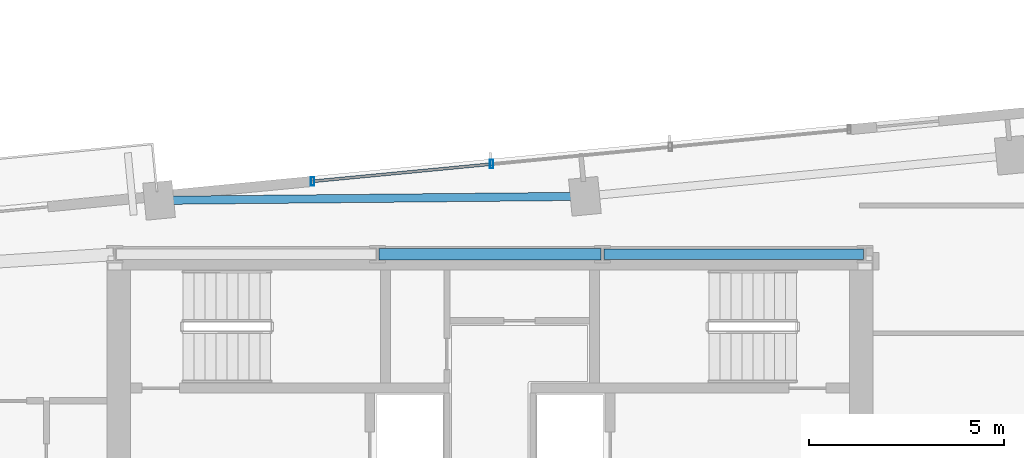
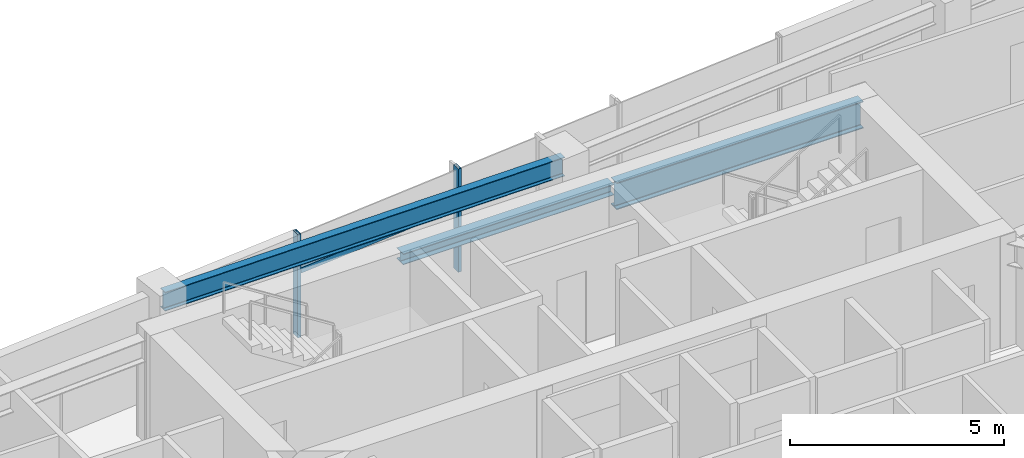
# One storey, part 6 of 18: 3 beams, 3 members, 1 element without a shape of its own.
"""IFC4 building model written with IfcOpenShell, lengths in metres."""

from ifc_helpers import new_model, si_unit, direction, frame, origin, origin_2d, place, context, subcontext, project, spatial, hollow_rectangle, i_section, extrude, source, transform, mapped, material, material_profile, profile_set, type_object, type_shapes, element, aggregate, save


model = new_model("IFC4")

# Units and contexts
model_context = context("Model", 3, precision=1e-05, world=origin(), true_north=direction((0.0, 1.0)))
body_context = subcontext(model_context, "Body", "Model", "MODEL_VIEW")
ifc_project = project(units=[si_unit("LENGTHUNIT", "METRE"), si_unit("AREAUNIT", "SQUARE_METRE"), si_unit("VOLUMEUNIT", "CUBIC_METRE"), si_unit("PLANEANGLEUNIT", "RADIAN"), si_unit("MASSUNIT", "GRAM", prefix="KILO")], contexts=[model_context])

# Site, building, storey
site_placement = place(None, origin())
site = spatial("IfcSite", under=ifc_project, at=site_placement, CompositionType="ELEMENT")
building_placement = place(site_placement, origin())
building = spatial("IfcBuilding", under=site, at=building_placement, Name="Astriad Promenade Condominiums", CompositionType="ELEMENT")
storey_placement = place(building_placement, frame((0.0, 0.0, 173.0)))
storey = spatial("IfcBuildingStorey", under=building, at=storey_placement, Name="L49", CompositionType="ELEMENT", Elevation=173.0)

# Beams
ifc_material_1 = material(Name="Steel ASTM A992 Grade 50", Category="steel")
ifc_material_profile_1 = material_profile(ifc_material_1, i_section(OverallWidth=0.267822265625, OverallDepth=0.76953125, WebThickness=0.015625, FlangeThickness=0.025390625, FilletRadius=0.021484375, at=origin_2d()), Name="W30X132")
ifc_profile_set_1 = profile_set([ifc_material_profile_1], Name="Steel ASTM A992 Grade 50")
beam_type_1 = type_object("IfcBeamType", Name="STEEL FLOOR GIRDER W30X132", PredefinedType="BEAM", material=ifc_profile_set_1)
shared_shape_1 = source(origin(), body_context, "Body", "SweptSolid", [
    extrude(i_section(OverallWidth=0.267822265625, OverallDepth=0.76953125, WebThickness=0.015625, FlangeThickness=0.025390625, FilletRadius=0.021484375, at=origin_2d()), origin(), (0.0, 0.0, 1.0), 6.64013671875),
])
type_shapes(beam_type_1, [shared_shape_1])
beam_1_placement = place(storey_placement, frame((38.919921875, 24.0, 2.55517578125), z_axis=(1.0, 0.0, 0.0), x_axis=(0.0, 1.0, 0.0)))
element("IfcBeam", 1, at=beam_1_placement, inside=storey, type_object=beam_type_1, Name="Core Ring Beam CG-N3-L49", PredefinedType="BEAM", context=body_context, shape_type="MappedRepresentation", body=[
    mapped(shared_shape_1, transform((0.0, 0.0, 0.0), scale=1.0)),
])
ifc_material_profile_2 = material_profile(ifc_material_1, i_section(OverallWidth=0.3046875, OverallDepth=0.307861328125, WebThickness=0.010009765625, FlangeThickness=0.015380859375, FilletRadius=0.01513671875, at=origin_2d()), Name="W12X65")
ifc_profile_set_2 = profile_set([ifc_material_profile_2], Name="Steel ASTM A992 Grade 50")
beam_type_2 = type_object("IfcBeamType", Name="STEEL OPENING LINTEL W12X65", PredefinedType="LINTEL", material=ifc_profile_set_2)
shared_shape_2 = source(origin(), body_context, "Body", "SweptSolid", [
    extrude(i_section(OverallWidth=0.3046875, OverallDepth=0.307861328125, WebThickness=0.010009765625, FlangeThickness=0.015380859375, FilletRadius=0.01513671875, at=origin_2d()), origin(), (0.0, 0.0, 1.0), 5.68017578125),
])
type_shapes(beam_type_2, [shared_shape_2])
beam_2_placement = place(storey_placement, frame((33.159912109375, 24.0, 2.7861328125), z_axis=(1.0, 0.0, 0.0), x_axis=(0.0, 1.0, 0.0)))
element("IfcBeam", 2, at=beam_2_placement, inside=storey, type_object=beam_type_2, Name="Core Ring Beam CG-N2-L49", PredefinedType="LINTEL", context=body_context, shape_type="MappedRepresentation", body=[
    mapped(shared_shape_2, transform((0.0, 0.0, 0.0), scale=1.0)),
])
ifc_material_profile_3 = material_profile(ifc_material_1, i_section(OverallWidth=0.210693359375, OverallDepth=0.53955078125, WebThickness=0.01171875, FlangeThickness=0.018798828125, FilletRadius=0.0166015625, at=origin_2d()), Name="W21X73")
ifc_profile_set_3 = profile_set([ifc_material_profile_3], Name="Steel ASTM A992 Grade 50")
beam_type_3 = type_object("IfcBeamType", Name="STEEL SPANDREL BEAM W21X73", PredefinedType="SPANDREL", material=ifc_profile_set_3)
shared_shape_3 = source(origin(), body_context, "Body", "SweptSolid", [
    extrude(i_section(OverallWidth=0.210693359375, OverallDepth=0.53955078125, WebThickness=0.01171875, FlangeThickness=0.018798828125, FilletRadius=0.0166015625, at=origin_2d()), origin(), (0.0, 0.0, 1.0), 10.820068359375),
])
type_shapes(beam_type_3, [shared_shape_3])
beam_3_placement = place(storey_placement, frame((38.391357421875, 25.482666015625, 2.67041015625), z_axis=(-0.999955308161, -0.009454188553, 0.0), x_axis=(0.009454188553, -0.999955308161, 0.0)))
element("IfcBeam", 3, at=beam_3_placement, inside=storey, type_object=beam_type_3, Name="Perimeter Spandrel Beam SP-N2-L49", PredefinedType="SPANDREL", context=body_context, shape_type="MappedRepresentation", body=[
    mapped(shared_shape_3, transform((0.0, 0.0, 0.0), scale=1.0)),
])

# Curtain wall, members
ifc_material_2 = material(Name="Anodised aluminium Black Dark Glass Unitised", Category="aluminium")
curtain_wall_type = type_object("IfcCurtainWallType", Name="CW-B34-DARK", PredefinedType="USERDEFINED", material=ifc_material_2)
curtain_wall_placement = place(storey_placement, origin())
curtain_wall = element("IfcCurtainWall", 4, at=curtain_wall_placement, inside=storey, type_object=curtain_wall_type, Name="CW-L49-N", ObjectType="UNITISED_CURTAIN_WALL", PredefinedType="USERDEFINED")
ifc_material_3 = material(Name="Anodised aluminium 6063-T6 Black", Category="aluminium")
ifc_material_profile_4 = material_profile(ifc_material_3, hollow_rectangle(XDim=0.0849609375, YDim=0.219970703125, WallThickness=0.0048828125, at=origin_2d()), Name="ALU-MUL-85X220")
ifc_profile_set_4 = profile_set([ifc_material_profile_4], Name="Anodised aluminium 6063-T6 Black")
member_type_1 = type_object("IfcMemberType", Name="MUL-ALU-MUL-85X220", PredefinedType="MULLION", material=ifc_profile_set_4)
shared_shape_4 = source(origin(), body_context, "Body", "SweptSolid", [
    extrude(hollow_rectangle(XDim=0.0849609375, YDim=0.219970703125, WallThickness=0.0048828125, at=origin_2d()), origin(), (0.0, 0.0, 1.0), 2.93994140625),
])
type_shapes(member_type_1, [shared_shape_4])
member_1_placement = place(storey_placement, frame((31.46240234375, 25.866943359375, 0.0), z_axis=(0.0, 0.0, 1.0), x_axis=(1.0, 0.0, 0.0)))
member_1 = element("IfcMember", 5, at=member_1_placement, type_object=member_type_1, Name="CW-L49-N-MUL-00", PredefinedType="MULLION", context=body_context, shape_type="MappedRepresentation", body=[
    mapped(shared_shape_4, transform((0.0, 0.0, 0.0), scale=1.0)),
])
member_2_placement = place(storey_placement, frame((36.041259765625, 26.307861328125, 0.0), z_axis=(0.0, 0.0, 1.0), x_axis=(1.0, 0.0, 0.0)))
member_2 = element("IfcMember", 6, at=member_2_placement, type_object=member_type_1, Name="CW-L49-N-MUL-01", PredefinedType="MULLION", context=body_context, shape_type="MappedRepresentation", body=[
    mapped(shared_shape_4, transform((0.0, 0.0, 0.0), scale=1.0)),
])
ifc_material_profile_5 = material_profile(ifc_material_3, hollow_rectangle(XDim=0.074951171875, YDim=0.14990234375, WallThickness=0.004150390625, at=origin_2d()), Name="ALU-TRN-75X150")
ifc_profile_set_5 = profile_set([ifc_material_profile_5], Name="Anodised aluminium 6063-T6 Black")
member_type_2 = type_object("IfcMemberType", Name="TRN-ALU-TRN-75X150", PredefinedType="USERDEFINED", material=ifc_profile_set_5)
shared_shape_5 = source(origin(), body_context, "Body", "SweptSolid", [
    extrude(hollow_rectangle(XDim=0.074951171875, YDim=0.14990234375, WallThickness=0.004150390625, at=origin_2d()), origin(), (0.0, 0.0, 1.0), 4.60009765625),
])
type_shapes(member_type_2, [shared_shape_5])
member_3_placement = place(storey_placement, frame((31.46240234375, 25.866943359375, 1.82275390625), z_axis=(0.995395697572, 0.095850953336, 0.0), x_axis=(-0.095850953336, 0.995395697572, 0.0)))
member_3 = element("IfcMember", 7, at=member_3_placement, type_object=member_type_2, Name="CW-L49-N-TRN-00-0", ObjectType="TRANSOM", PredefinedType="USERDEFINED", context=body_context, shape_type="MappedRepresentation", body=[
    mapped(shared_shape_5, transform((0.0, 0.0, 0.0), scale=1.0)),
])
aggregate(curtain_wall, [member_1, member_2, member_3])

save(model, "model.ifc")
